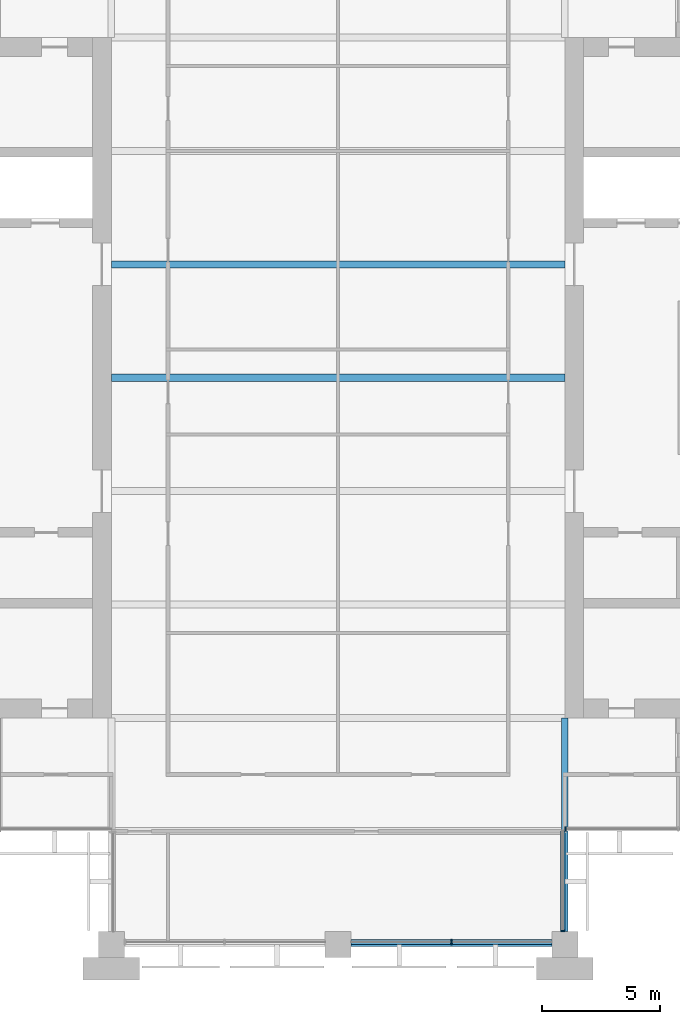
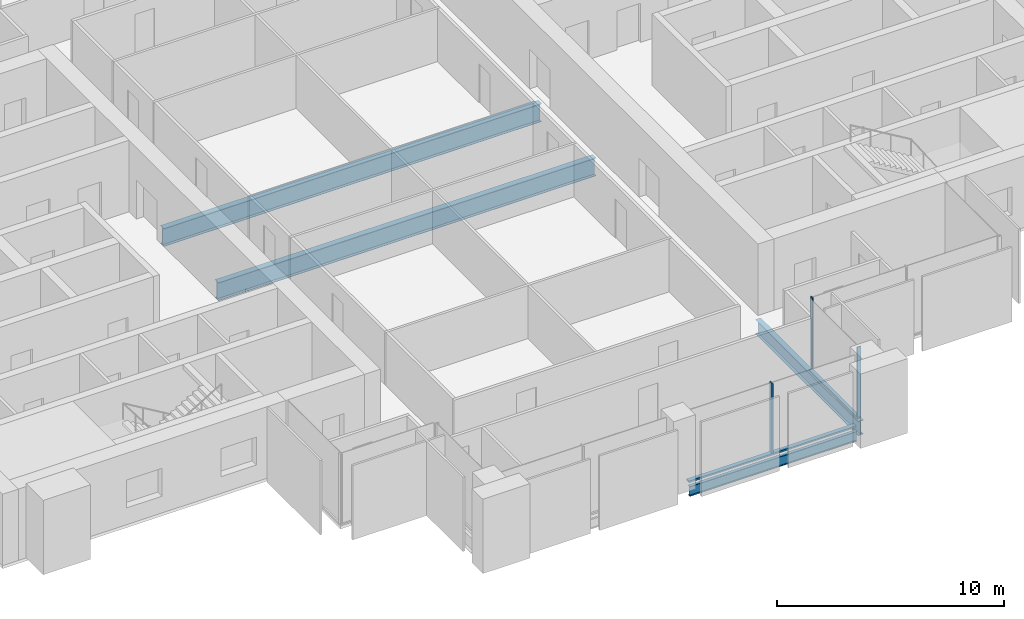
# One storey, part 3 of 13: 5 members, 4 beams, 3 elements without a shape of their own.
"""IFC4 building model written with IfcOpenShell, lengths in metres."""

from ifc_helpers import new_model, si_unit, direction, frame, origin, origin_2d, place, context, subcontext, project, spatial, rectangle, i_section, extrude, material, material_profile, profile_set, type_object, element, aggregate, save


model = new_model("IFC4")

# Units and contexts
model_context = context("Model", 3, precision=1e-05, world=origin(), true_north=direction((0.0, 1.0)))
body_context = subcontext(model_context, "Body", "Model", "MODEL_VIEW")
ifc_project = project(units=[si_unit("LENGTHUNIT", "METRE"), si_unit("AREAUNIT", "SQUARE_METRE"), si_unit("VOLUMEUNIT", "CUBIC_METRE"), si_unit("PLANEANGLEUNIT", "RADIAN"), si_unit("MASSUNIT", "GRAM", prefix="KILO")], contexts=[model_context])

# Site, building, storey
site_placement = place(None, origin())
site = spatial("IfcSite", under=ifc_project, at=site_placement, CompositionType="ELEMENT")
building_placement = place(site_placement, origin())
building = spatial("IfcBuilding", under=site, at=building_placement, Name="Baori Bourse Tower", CompositionType="ELEMENT")
storey_placement = place(building_placement, frame((0.0, 0.0, 229.199951171875)))
storey = spatial("IfcBuildingStorey", under=building, at=storey_placement, Name="L50", CompositionType="ELEMENT", Elevation=229.199951171875)

# Curtain wall, member
ifc_material_1 = material(Name="Pale anodised aluminium", Category="aluminium")
curtain_wall_type_1 = type_object("IfcCurtainWallType", Name="CW2 Curtain wall", PredefinedType="NOTDEFINED", material=ifc_material_1)
curtain_wall_1_placement = place(storey_placement, origin())
curtain_wall_1 = element("IfcCurtainWall", 1, at=curtain_wall_1_placement, inside=storey, type_object=curtain_wall_type_1, Name="Curtain wall CW2 L50 12", PredefinedType="NOTDEFINED")
ifc_material_2 = material(Name="Pale anodised aluminium", Category="aluminium")
ifc_material_profile_1 = material_profile(ifc_material_2, rectangle(XDim=0.179931640625, YDim=0.054931640625, at=origin_2d()), Name="Mullion 55x180")
ifc_profile_set_1 = profile_set([ifc_material_profile_1], Name="Pale anodised aluminium")
member_type_1 = type_object("IfcMemberType", Name="CW2 Curtain wall mullion", PredefinedType="MULLION", material=ifc_profile_set_1)
member_1_placement = place(storey_placement, frame((38.31005859375, 0.577392578125, 0.070068359375), z_axis=(0.0, 0.0, 1.0), x_axis=(-1.0, 0.0, 0.0)))
member_1 = element("IfcMember", 2, at=member_1_placement, type_object=member_type_1, Name="Curtain wall CW2 mullion", PredefinedType="MULLION", context=body_context, shape_type="SweptSolid", body=[
    extrude(rectangle(XDim=0.179931640625, YDim=0.054931640625, at=origin_2d()), origin(), (0.0, 0.0, 1.0), 3.77001953125),
])

curtain_wall_2_placement = place(storey_placement, origin())
curtain_wall_2 = element("IfcCurtainWall", 3, at=curtain_wall_2_placement, inside=storey, type_object=curtain_wall_type_1, Name="Curtain wall CW2 L50 13", PredefinedType="NOTDEFINED")
member_2_placement = place(storey_placement, frame((38.427490234375, 4.889892578125, 0.070068359375), z_axis=(0.0, 0.0, 1.0), x_axis=(0.0, 1.0, 0.0)))
member_2 = element("IfcMember", 4, at=member_2_placement, type_object=member_type_1, Name="Curtain wall CW2 mullion", PredefinedType="MULLION", context=body_context, shape_type="SweptSolid", body=[
    extrude(rectangle(XDim=0.179931640625, YDim=0.054931640625, at=origin_2d()), origin(), (0.0, 0.0, 1.0), 3.77001953125),
])
aggregate(curtain_wall_2, [member_2])

# Member
ifc_material_3 = material(Name="Pale anodised aluminium", Category="aluminium")
ifc_material_profile_2 = material_profile(ifc_material_3, rectangle(XDim=0.179931640625, YDim=0.070068359375, at=origin_2d()), Name="Transom 70x180")
ifc_profile_set_2 = profile_set([ifc_material_profile_2], Name="Pale anodised aluminium")
member_type_2 = type_object("IfcMemberType", Name="CW2 Curtain wall transom", PredefinedType="USERDEFINED", material=ifc_profile_set_2)
member_3_placement = place(storey_placement, frame((38.31005859375, 0.550048828125, 0.03515625), z_axis=(0.0, 1.0, 0.0), x_axis=(-1.0, 0.0, 0.0)))
member_3 = element("IfcMember", 5, at=member_3_placement, type_object=member_type_2, Name="Curtain wall CW2 sill rail", ObjectType="TRANSOM", PredefinedType="USERDEFINED", context=body_context, shape_type="SweptSolid", body=[
    extrude(rectangle(XDim=0.179931640625, YDim=0.070068359375, at=origin_2d()), origin(), (0.0, 0.0, 1.0), 4.25),
])

aggregate(curtain_wall_1, [member_3, member_1])

# Curtain wall, members
ifc_material_4 = material(Name="Pale anodised aluminium", Category="aluminium")
curtain_wall_type_2 = type_object("IfcCurtainWallType", Name="CW5 Curtain wall", PredefinedType="NOTDEFINED", material=ifc_material_4)
curtain_wall_3_placement = place(storey_placement, origin())
curtain_wall_3 = element("IfcCurtainWall", 6, at=curtain_wall_3_placement, inside=storey, type_object=curtain_wall_type_2, Name="Curtain wall CW5 L50 11", PredefinedType="NOTDEFINED")
ifc_material_5 = material(Name="Pale anodised aluminium", Category="aluminium")
ifc_material_profile_3 = material_profile(ifc_material_5, rectangle(XDim=0.219970703125, YDim=0.06494140625, at=origin_2d()), Name="Mullion 65x220")
ifc_profile_set_3 = profile_set([ifc_material_profile_3], Name="Pale anodised aluminium")
member_type_3 = type_object("IfcMemberType", Name="CW5 Curtain wall mullion", PredefinedType="MULLION", material=ifc_profile_set_3)
member_4_placement = place(storey_placement, frame((33.60009765625, 0.110107421875, 0.0849609375), z_axis=(0.0, 0.0, 1.0), x_axis=(0.0, 1.0, 0.0)))
member_4 = element("IfcMember", 7, at=member_4_placement, type_object=member_type_3, Name="Curtain wall CW5 mullion", PredefinedType="MULLION", context=body_context, shape_type="SweptSolid", body=[
    extrude(rectangle(XDim=0.219970703125, YDim=0.06494140625, at=origin_2d()), origin(), (0.0, 0.0, 1.0), 3.755126953125),
])
ifc_material_6 = material(Name="Pale anodised aluminium", Category="aluminium")
ifc_material_profile_4 = material_profile(ifc_material_6, rectangle(XDim=0.219970703125, YDim=0.0849609375, at=origin_2d()), Name="Transom 85x220")
ifc_profile_set_4 = profile_set([ifc_material_profile_4], Name="Pale anodised aluminium")
member_type_4 = type_object("IfcMemberType", Name="CW5 Curtain wall transom", PredefinedType="USERDEFINED", material=ifc_profile_set_4)
member_5_placement = place(storey_placement, frame((29.35009765625, 0.110107421875, 0.04248046875), z_axis=(1.0, 0.0, 0.0), x_axis=(0.0, 1.0, 0.0)))
member_5 = element("IfcMember", 8, at=member_5_placement, type_object=member_type_4, Name="Curtain wall CW5 sill rail", ObjectType="TRANSOM", PredefinedType="USERDEFINED", context=body_context, shape_type="SweptSolid", body=[
    extrude(rectangle(XDim=0.219970703125, YDim=0.0849609375, at=origin_2d()), origin(), (0.0, 0.0, 1.0), 8.5),
])
aggregate(curtain_wall_3, [member_5, member_4])

# Beams
ifc_material_7 = material(Name="Steel A992 Gr 50", Category="steel")
ifc_material_profile_5 = material_profile(ifc_material_7, i_section(OverallWidth=0.1650390625, OverallDepth=0.52587890625, WebThickness=0.0087890625, FlangeThickness=0.011474609375, at=origin_2d()), Name="W21x44")
ifc_profile_set_5 = profile_set([ifc_material_profile_5], Name="Steel A992 Gr 50")
beam_type_1 = type_object("IfcBeamType", Name="Edge beam W21x44", PredefinedType="BEAM", material=ifc_profile_set_5)
beam_1_placement = place(storey_placement, frame((29.35009765625, 0.0, -0.4228515625), z_axis=(1.0, 0.0, 0.0), x_axis=(0.0, 1.0, 0.0)))
element("IfcBeam", 9, at=beam_1_placement, inside=storey, type_object=beam_type_1, Name="Edge beam L50", PredefinedType="BEAM", context=body_context, shape_type="SweptSolid", body=[
    extrude(i_section(OverallWidth=0.1650390625, OverallDepth=0.52587890625, WebThickness=0.0087890625, FlangeThickness=0.011474609375, at=origin_2d()), origin(), (0.0, 0.0, 1.0), 8.5),
])
ifc_material_8 = material(Name="Steel A992 Gr 50", Category="steel")
ifc_material_profile_6 = material_profile(ifc_material_8, i_section(OverallWidth=0.2998046875, OverallDepth=0.97021484375, WebThickness=0.01611328125, FlangeThickness=0.02099609375, at=origin_2d()), Name="W40x149")
ifc_profile_set_6 = profile_set([ifc_material_profile_6], Name="Steel A992 Gr 50")
beam_type_2 = type_object("IfcBeamType", Name="Floor beam W40x149", PredefinedType="BEAM", material=ifc_profile_set_6)
for number, where, z_axis, x_axis, name in (
    (10, (19.199951171875, 24.0, -0.64501953125), (1.0, 0.0, 0.0), (0.0, 1.0, 0.0), "Floor beam L50"),
    (11, (19.199951171875, 28.800048828125, -0.64501953125), (1.0, 0.0, 0.0), (0.0, 1.0, 0.0), "Floor beam L50"),
):
    element("IfcBeam", number, at=place(storey_placement, frame(where, z_axis=z_axis, x_axis=x_axis)), inside=storey, type_object=beam_type_2, Name=name, PredefinedType="BEAM", context=body_context, shape_type="SweptSolid", body=[
        extrude(i_section(OverallWidth=0.2998046875, OverallDepth=0.97021484375, WebThickness=0.01611328125, FlangeThickness=0.02099609375, at=origin_2d()), origin(), (0.0, 0.0, 1.0), 19.199951171875),
    ])
ifc_material_9 = material(Name="Steel A992 Gr 50", Category="steel")
ifc_material_profile_7 = material_profile(ifc_material_9, i_section(OverallWidth=0.2666015625, OverallDepth=0.76953125, WebThickness=0.015625, FlangeThickness=0.025390625, at=origin_2d()), Name="W30x132")
ifc_profile_set_7 = profile_set([ifc_material_profile_7], Name="Steel A992 Gr 50")
beam_type_3 = type_object("IfcBeamType", Name="Girder W30x132", PredefinedType="BEAM", material=ifc_profile_set_7)
beam_2_placement = place(storey_placement, frame((38.39990234375, 0.550048828125, -0.544677734375), z_axis=(0.0, 1.0, 0.0), x_axis=(-1.0, 0.0, 0.0)))
element("IfcBeam", 12, at=beam_2_placement, inside=storey, type_object=beam_type_3, Name="Girder L50", PredefinedType="BEAM", context=body_context, shape_type="SweptSolid", body=[
    extrude(i_section(OverallWidth=0.2666015625, OverallDepth=0.76953125, WebThickness=0.015625, FlangeThickness=0.025390625, at=origin_2d()), origin(), (0.0, 0.0, 1.0), 9.050048828125),
])

save(model, "model.ifc")
